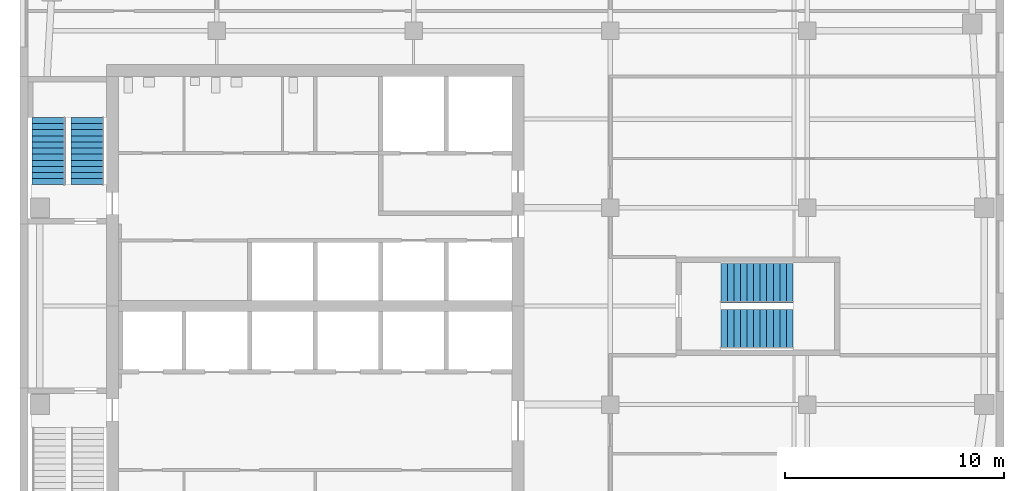
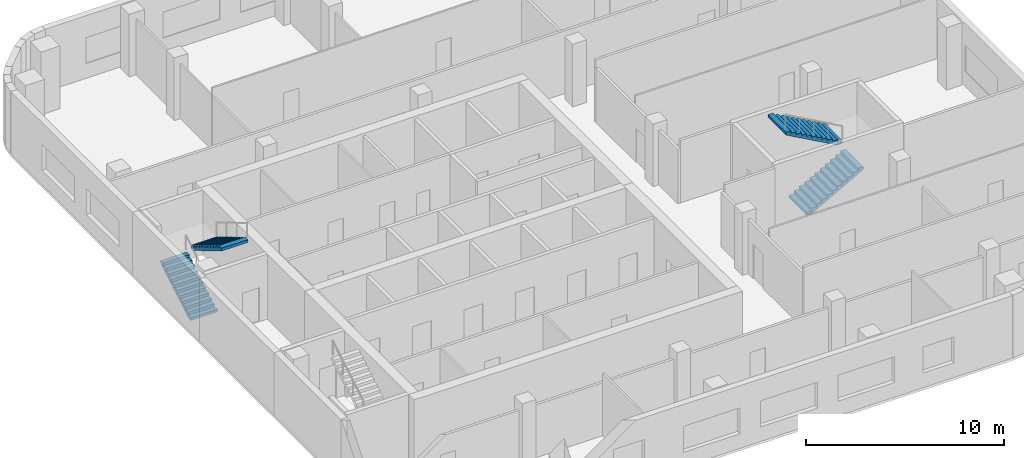
# One storey, part 6 of 8: 4 stair flights, 2 elements without a shape of their own.
"""IFC4 building model written with IfcOpenShell, lengths in metres."""

from ifc_helpers import new_model, si_unit, direction, frame, origin, place, context, subcontext, project, spatial, polyline, outline, extrude, material, type_object, element, aggregate, save


model = new_model("IFC4")

# Units and contexts
model_context = context("Model", 3, precision=1e-05, world=origin(), true_north=direction((0.0, 1.0)))
body_context = subcontext(model_context, "Body", "Model", "MODEL_VIEW")
ifc_project = project(units=[si_unit("LENGTHUNIT", "METRE"), si_unit("AREAUNIT", "SQUARE_METRE"), si_unit("VOLUMEUNIT", "CUBIC_METRE"), si_unit("PLANEANGLEUNIT", "RADIAN"), si_unit("MASSUNIT", "GRAM", prefix="KILO")], contexts=[model_context])

# Site, building, storey
site_placement = place(None, origin())
site = spatial("IfcSite", under=ifc_project, at=site_placement, CompositionType="ELEMENT")
building_placement = place(site_placement, origin())
building = spatial("IfcBuilding", under=site, at=building_placement, Name="Cinnabar Reach Civic Tower", CompositionType="ELEMENT")
storey_placement = place(building_placement, frame((0.0, 0.0, 202.0)))
storey = spatial("IfcBuildingStorey", under=building, at=storey_placement, Name="L48", CompositionType="ELEMENT", Elevation=202.0)

# Stair, stair flights
ifc_material = material(Name="Concrete C40/50", Category="concrete")
stair_type = type_object("IfcStairType", Name="T1 Exit stair, half-turn", PredefinedType="HALF_TURN_STAIR", material=ifc_material)
stair_1_placement = place(storey_placement, origin())
stair_1 = element("IfcStair", 1, at=stair_1_placement, inside=storey, type_object=stair_type, Name="Stair T1-S2", PredefinedType="HALF_TURN_STAIR")
stair_flight_type = type_object("IfcStairFlightType", Name="T1 Stair flight, concrete", PredefinedType="STRAIGHT", material=ifc_material)
stair_flight_1_placement = place(storey_placement, frame((1.3125, 37.05, 0.0), z_axis=(0.0, 0.0, 1.0), x_axis=(0.0, 1.0, 0.0)))
stair_flight_1 = element("IfcStairFlight", 2, at=stair_flight_1_placement, type_object=stair_flight_type, Name="T1-S2 flight 1", NumberOfRisers=12, NumberOfTreads=11, PredefinedType="STRAIGHT", RiserHeight=0.166666667, TreadLength=0.28, context=body_context, shape_type="SweptSolid", body=[
    extrude(outline(polyline([(0.0, 0.0), (0.0, 0.1667), (0.28, 0.1667), (0.28, 0.3333), (0.56, 0.3333), (0.56, 0.5), (0.84, 0.5), (0.84, 0.6667), (1.12, 0.6667), (1.12, 0.8333), (1.4, 0.8333), (1.4, 1.0), (1.68, 1.0), (1.68, 1.1667), (1.96, 1.1667), (1.96, 1.3333), (2.24, 1.3333), (2.24, 1.5), (2.52, 1.5), (2.52, 1.6667), (2.8, 1.6667), (2.8, 1.8333), (3.08, 1.8333), (3.08, 2.0), (3.08, 1.6588), (0.2933, 0.0), (0.0, 0.0)])), frame((0.0, 0.7625, 0.0), z_axis=(0.0, -1.0, 0.0), x_axis=(1.0, 0.0, 0.0)), (0.0, 0.0, 1.0), 1.525),
])
stair_flight_2_placement = place(storey_placement, frame((3.0875, 40.13, 2.0), z_axis=(0.0, 0.0, 1.0), x_axis=(0.0, -1.0, 0.0)))
stair_flight_2 = element("IfcStairFlight", 3, at=stair_flight_2_placement, type_object=stair_flight_type, Name="T1-S2 flight 2", NumberOfRisers=12, NumberOfTreads=11, PredefinedType="STRAIGHT", RiserHeight=0.166666667, TreadLength=0.28, context=body_context, shape_type="SweptSolid", body=[
    extrude(outline(polyline([(0.0, 0.0), (0.0, 0.1667), (0.28, 0.1667), (0.28, 0.3333), (0.56, 0.3333), (0.56, 0.5), (0.84, 0.5), (0.84, 0.6667), (1.12, 0.6667), (1.12, 0.8333), (1.4, 0.8333), (1.4, 1.0), (1.68, 1.0), (1.68, 1.1667), (1.96, 1.1667), (1.96, 1.3333), (2.24, 1.3333), (2.24, 1.5), (2.52, 1.5), (2.52, 1.6667), (2.8, 1.6667), (2.8, 1.8333), (3.08, 1.8333), (3.08, 2.0), (3.08, 1.6588), (0.2933, 0.0), (0.0, 0.0)])), frame((0.0, 0.7625, 0.0), z_axis=(0.0, -1.0, 0.0), x_axis=(1.0, 0.0, 0.0)), (0.0, 0.0, 1.0), 1.525),
])
aggregate(stair_1, [stair_flight_1, stair_flight_2])

stair_2_placement = place(storey_placement, origin())
stair_2 = element("IfcStair", 4, at=stair_2_placement, inside=storey, type_object=stair_type, Name="Stair T1-S3", PredefinedType="HALF_TURN_STAIR")
stair_flight_3_placement = place(storey_placement, frame((32.05, 30.45, 0.0), z_axis=(0.0, 0.0, 1.0), x_axis=(1.0, 0.0, 0.0)))
stair_flight_3 = element("IfcStairFlight", 5, at=stair_flight_3_placement, type_object=stair_flight_type, Name="T1-S3 flight 1", NumberOfRisers=12, NumberOfTreads=11, PredefinedType="STRAIGHT", RiserHeight=0.166666667, TreadLength=0.3, context=body_context, shape_type="SweptSolid", body=[
    extrude(outline(polyline([(0.0, 0.0), (0.0, 0.1667), (0.3, 0.1667), (0.3, 0.3333), (0.6, 0.3333), (0.6, 0.5), (0.9, 0.5), (0.9, 0.6667), (1.2, 0.6667), (1.2, 0.8333), (1.5, 0.8333), (1.5, 1.0), (1.8, 1.0), (1.8, 1.1667), (2.1, 1.1667), (2.1, 1.3333), (2.4, 1.3333), (2.4, 1.5), (2.7, 1.5), (2.7, 1.6667), (3.0, 1.6667), (3.0, 1.8333), (3.3, 1.8333), (3.3, 2.0), (3.3, 1.6617), (0.3089, 0.0), (0.0, 0.0)])), frame((0.0, 0.9, 0.0), z_axis=(0.0, -1.0, 0.0), x_axis=(1.0, 0.0, 0.0)), (0.0, 0.0, 1.0), 1.8),
])
stair_flight_4_placement = place(storey_placement, frame((35.35, 32.55, 2.0), z_axis=(0.0, 0.0, 1.0), x_axis=(-1.0, 0.0, 0.0)))
stair_flight_4 = element("IfcStairFlight", 6, at=stair_flight_4_placement, type_object=stair_flight_type, Name="T1-S3 flight 2", NumberOfRisers=12, NumberOfTreads=11, PredefinedType="STRAIGHT", RiserHeight=0.166666667, TreadLength=0.3, context=body_context, shape_type="SweptSolid", body=[
    extrude(outline(polyline([(0.0, 0.0), (0.0, 0.1667), (0.3, 0.1667), (0.3, 0.3333), (0.6, 0.3333), (0.6, 0.5), (0.9, 0.5), (0.9, 0.6667), (1.2, 0.6667), (1.2, 0.8333), (1.5, 0.8333), (1.5, 1.0), (1.8, 1.0), (1.8, 1.1667), (2.1, 1.1667), (2.1, 1.3333), (2.4, 1.3333), (2.4, 1.5), (2.7, 1.5), (2.7, 1.6667), (3.0, 1.6667), (3.0, 1.8333), (3.3, 1.8333), (3.3, 2.0), (3.3, 1.6617), (0.3089, 0.0), (0.0, 0.0)])), frame((0.0, 0.9, 0.0), z_axis=(0.0, -1.0, 0.0), x_axis=(1.0, 0.0, 0.0)), (0.0, 0.0, 1.0), 1.8),
])
aggregate(stair_2, [stair_flight_3, stair_flight_4])

save(model, "model.ifc")
